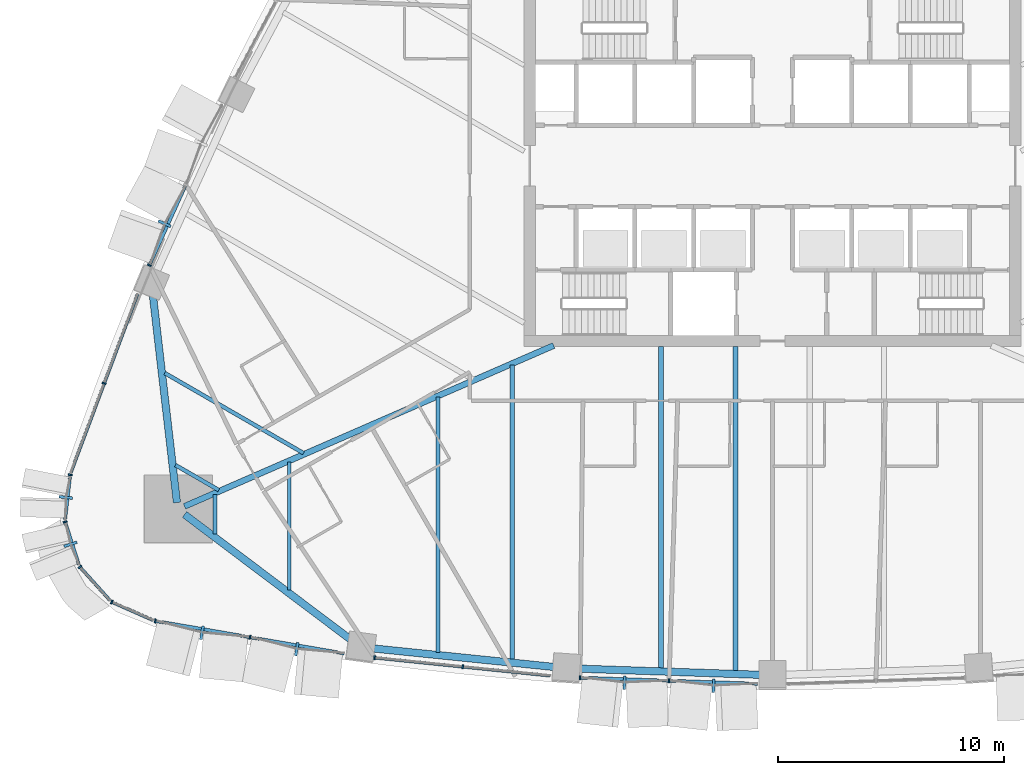
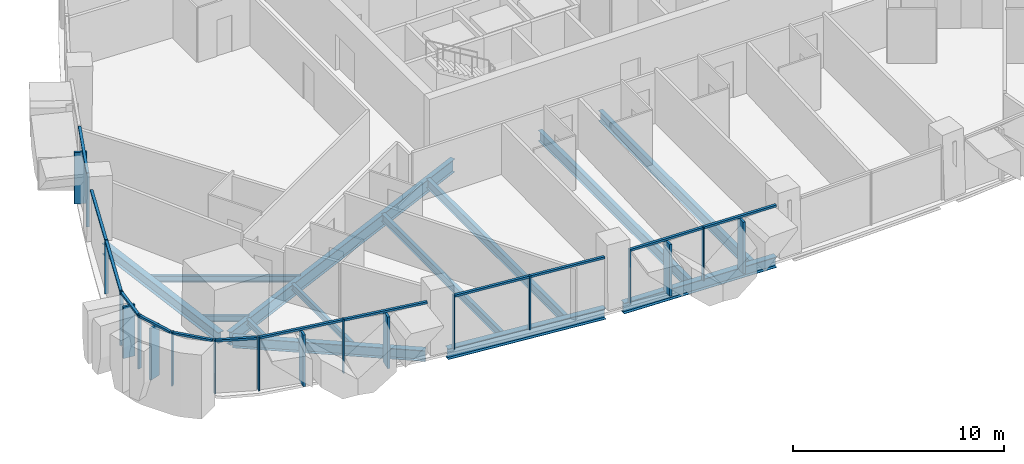
# One storey, part 2 of 19: 32 members, 13 beams, 9 elements without a shape of their own.
"""IFC4 building model written with IfcOpenShell, lengths in metres."""

import ifcopenshell
import ifcopenshell.guid

model = None  # the IFC model being written
_history = None  # IfcOwnerHistory: only IFC2X3 demands one
_inside = {}  # id of a spatial element -> (the spatial element, [elements in it])
_under = {}  # id of a project, library or spatial element -> (it, [spatial elements below it])
_declared = {}  # id of a project -> (the project, [libraries it declares])
_typed = {}  # id of a type object -> (the type object, [elements of that type])
_made_of = {}  # id of a material, layer set ... -> (it, [elements and type objects made of it])


def new_model(schema):
    """Start an empty IFC model of exactly this schema.

    Asked for "IFC4X3", IfcOpenShell would pick the latest addendum, in which some entities
    have other attributes; the version numbers below select the first issue.
    IFC2X3 requires an IfcOwnerHistory on every rooted entity: one is made here for all.
    """
    global model, _history
    if schema == "IFC4X3":
        model = ifcopenshell.file(schema_version=(4, 3, 0, 0))
    else:
        model = ifcopenshell.file(schema=schema)
    _inside.clear()
    _under.clear()
    _declared.clear()
    _typed.clear()
    _made_of.clear()
    _history = None
    if model.schema == "IFC2X3":
        org = make("IfcOrganization", Name="unknown")
        user = make(
            "IfcPersonAndOrganization",
            ThePerson=make("IfcPerson", FamilyName="unknown"),
            TheOrganization=org,
        )
        app = make(
            "IfcApplication",
            ApplicationDeveloper=org,
            Version="unknown",
            ApplicationFullName="unknown",
            ApplicationIdentifier="unknown",
        )
        _history = make(
            "IfcOwnerHistory",
            OwningUser=user,
            OwningApplication=app,
            ChangeAction="ADDED",
            CreationDate=0,
        )
    return model


def make(cls, **values):
    """One entity of the class cls with the attributes given. An attribute that is None is left unset."""
    return model.create_entity(
        cls, **{name: value for name, value in values.items() if value is not None}
    )


def rooted(cls, **values):
    """An entity with a GlobalId (a new one), such as an element, a storey or a relation."""
    return make(cls, GlobalId=ifcopenshell.guid.new(), OwnerHistory=_history, **values)


def si_unit(unit_type, name, prefix=None):
    """IfcSIUnit, for example si_unit("LENGTHUNIT", "METRE", prefix="MILLI")."""
    return make("IfcSIUnit", UnitType=unit_type, Prefix=prefix, Name=name)


def assignment(units):
    """IfcUnitAssignment: the units of a project."""
    return None if units is None else make("IfcUnitAssignment", Units=units)


def point(xyz):
    """IfcCartesianPoint."""
    return None if xyz is None else make("IfcCartesianPoint", Coordinates=xyz)


def direction(xyz):
    """IfcDirection."""
    return None if xyz is None else make("IfcDirection", DirectionRatios=xyz)


def frame(location, z_axis=None, x_axis=None):
    """IfcAxis2Placement3D, a coordinate frame: its origin and axes. An axis left out is left unset."""
    return make(
        "IfcAxis2Placement3D",
        Location=point(location),
        Axis=direction(z_axis),
        RefDirection=direction(x_axis),
    )


def frame_2d(location, x_axis=None):
    """IfcAxis2Placement2D, a coordinate frame in the plane: its origin and x axis."""
    return make(
        "IfcAxis2Placement2D", Location=point(location), RefDirection=direction(x_axis)
    )


def origin():
    """The frame at (0, 0, 0) with its axes left unset."""
    return frame((0.0, 0.0, 0.0))


def origin_2d():
    """The frame at (0, 0) in the plane with its x axis left unset."""
    return frame_2d((0.0, 0.0))


def place(relative_to, where):
    """IfcLocalPlacement: puts the frame where relative to a parent placement (None: the world)."""
    return make(
        "IfcLocalPlacement", PlacementRelTo=relative_to, RelativePlacement=where
    )


def context(
    kind, dimensions, precision=None, world=None, true_north=None, identifier=None
):
    """IfcGeometricRepresentationContext, for example the 3D "Model" context."""
    return make(
        "IfcGeometricRepresentationContext",
        ContextIdentifier=identifier,
        ContextType=kind,
        CoordinateSpaceDimension=dimensions,
        Precision=precision,
        WorldCoordinateSystem=world,
        TrueNorth=true_north,
    )


def subcontext(parent, identifier, kind, view, scale=None):
    """IfcGeometricRepresentationSubContext, for example "Body" below "Model"."""
    return make(
        "IfcGeometricRepresentationSubContext",
        ContextIdentifier=identifier,
        ContextType=kind,
        ParentContext=parent,
        TargetScale=scale,
        TargetView=view,
    )


def project(units=None, contexts=None):
    """IfcProject with its units and contexts."""
    return rooted(
        "IfcProject",
        Name="project",
        RepresentationContexts=contexts,
        UnitsInContext=assignment(units),
    )


def spatial(cls, under=None, at=None, **own):
    """A site, building, storey or space (cls), placed at a placement, below another one or the project."""
    s = rooted(cls, ObjectPlacement=at, **own)
    if under is not None:
        _under.setdefault(under.id(), (under, []))[1].append(s)
    return s


def profile(cls, at=None, kind="AREA", **sizes):
    """A parametric profile (cls). Its sizes go by their IFC names, for example OverallWidth=200.0."""
    return make(cls, ProfileType=kind, Position=at, **sizes)


def rectangle(**sizes):
    """IfcRectangleProfileDef."""
    return profile("IfcRectangleProfileDef", **sizes)


def i_section(**sizes):
    """IfcIShapeProfileDef."""
    return profile("IfcIShapeProfileDef", **sizes)


def extrude(swept, where, along, depth):
    """IfcExtrudedAreaSolid: the profile swept, set in the frame where, extruded along a direction by depth."""
    return make(
        "IfcExtrudedAreaSolid",
        SweptArea=swept,
        Position=where,
        ExtrudedDirection=direction(along),
        Depth=depth,
    )


def shape(context_of_items, identifier, shape_type, items):
    """IfcShapeRepresentation: the items that make up one representation, for example the "Body"."""
    return make(
        "IfcShapeRepresentation",
        ContextOfItems=context_of_items,
        RepresentationIdentifier=identifier,
        RepresentationType=shape_type,
        Items=items,
    )


def material(Name=None, Category=None):
    """IfcMaterial."""
    return make("IfcMaterial", Name=Name, Category=Category)


def layer(
    of_material, thickness, ventilated=None, Name=None, Category=None, Priority=None
):
    """IfcMaterialLayer: one layer of a wall or slab, of a material (None: an air gap)."""
    return make(
        "IfcMaterialLayer",
        Material=of_material,
        LayerThickness=thickness,
        IsVentilated=ventilated,
        Name=Name,
        Category=Category,
        Priority=Priority,
    )


def layer_set(layers, Name=None):
    """IfcMaterialLayerSet."""
    return make("IfcMaterialLayerSet", MaterialLayers=layers, LayerSetName=Name)


def material_profile(
    of_material, cross_section, Name=None, Category=None, Priority=None
):
    """IfcMaterialProfile: a cross section and its material."""
    return make(
        "IfcMaterialProfile",
        Name=Name,
        Material=of_material,
        Profile=cross_section,
        Priority=Priority,
        Category=Category,
    )


def profile_set(profiles, Name=None, composite=None):
    """IfcMaterialProfileSet."""
    return make(
        "IfcMaterialProfileSet",
        Name=Name,
        MaterialProfiles=profiles,
        CompositeProfile=composite,
    )


def made_of(thing, what):
    """Note that an element or type object is made of a material, layer set ...; save() writes the relation."""
    if what is not None:
        _made_of.setdefault(what.id(), (what, []))[1].append(thing)
    return thing


def type_object(cls, material=None, **own):
    """A type object (cls), such as IfcWallType, which elements share."""
    return made_of(rooted(cls, **own), material)


def element(
    cls,
    number,
    at=None,
    inside=None,
    cuts=None,
    type_object=None,
    material=None,
    context=None,
    identifier="Body",
    shape_type=None,
    held_by="IfcProductDefinitionShape",
    body=None,
    shapes=None,
    **own,
):
    """One element of the class cls, such as IfcWall. Its Tag is "e" and its number.

    at: its placement. inside: the storey or other place that contains it. cuts: it is an
    opening in that element (IfcRelVoidsElement). A single representation is given by context,
    identifier, shape_type and body (its items); several are given by shapes. held_by: the class
    of the entity that holds the representations. save() writes the other relations.
    """
    e = rooted(cls, Tag="e%d" % number, ObjectPlacement=at, **own)
    if body is not None:
        shapes = [shape(context, identifier, shape_type, body)]
    if shapes is not None:
        e.Representation = make(held_by, Representations=shapes)
    if inside is not None:
        _inside.setdefault(inside.id(), (inside, []))[1].append(e)
    if cuts is not None:
        rooted(
            "IfcRelVoidsElement", RelatingBuildingElement=cuts, RelatedOpeningElement=e
        )
    if type_object is not None:
        _typed.setdefault(type_object.id(), (type_object, []))[1].append(e)
    return made_of(e, material)


def aggregate(whole, parts):
    """IfcRelAggregates: a whole, such as a stair, and the parts it consists of."""
    return rooted("IfcRelAggregates", RelatingObject=whole, RelatedObjects=parts)


def save(model, path):
    """Write the relations noted so far, then the file.

    IfcRelAggregates (storeys below a building ...), IfcRelContainedInSpatialStructure (elements
    in a storey), IfcRelDefinesByType, IfcRelAssociatesMaterial and IfcRelDeclares: one each for
    every whole, place, type object, material and project.
    """
    for whole, parts in _under.values():
        aggregate(whole, parts)
    for where, things in _inside.values():
        rooted(
            "IfcRelContainedInSpatialStructure",
            RelatedElements=things,
            RelatingStructure=where,
        )
    for kind, things in _typed.values():
        rooted("IfcRelDefinesByType", RelatedObjects=things, RelatingType=kind)
    for what, things in _made_of.values():
        rooted("IfcRelAssociatesMaterial", RelatedObjects=things, RelatingMaterial=what)
    for by, libraries in _declared.values():
        rooted("IfcRelDeclares", RelatingContext=by, RelatedDefinitions=libraries)
    model.write(path)


model = new_model("IFC4")

# Units and contexts
model_context = context("Model", 3, precision=1e-05, world=origin(), true_north=direction((0.0, 1.0)))
body_context = subcontext(model_context, "Body", "Model", "MODEL_VIEW")
ifc_project = project(units=[si_unit("LENGTHUNIT", "METRE"), si_unit("AREAUNIT", "SQUARE_METRE"), si_unit("VOLUMEUNIT", "CUBIC_METRE"), si_unit("PLANEANGLEUNIT", "RADIAN"), si_unit("MASSUNIT", "GRAM", prefix="KILO")], contexts=[model_context])

# Site, building, storey
site_placement = place(None, origin())
site = spatial("IfcSite", under=ifc_project, at=site_placement, CompositionType="ELEMENT")
building_placement = place(site_placement, origin())
building = spatial("IfcBuilding", under=site, at=building_placement, Name="Sierra Prisma Convention Tower", CompositionType="ELEMENT")
storey_placement = place(building_placement, frame((0.0, 0.0, 77.60009765625)))
storey = spatial("IfcBuildingStorey", under=building, at=storey_placement, Name="L15", CompositionType="ELEMENT", Elevation=77.60009765625)

# Curtain wall, members
ifc_material_1 = material(Name="Aluminium and glass curtain wall", Category="aluminium")
ifc_layer_1 = layer(ifc_material_1, 0.179931640625)
ifc_layer_set_1 = layer_set([ifc_layer_1], Name="CW-2 Faceted crystal curtain wall")
curtain_wall_type_1 = type_object("IfcCurtainWallType", Name="CW-2 Faceted crystal curtain wall", PredefinedType="NOTDEFINED", material=ifc_layer_set_1)
curtain_wall_1_placement = place(storey_placement, origin())
curtain_wall_1 = element("IfcCurtainWall", 1, at=curtain_wall_1_placement, inside=storey, type_object=curtain_wall_type_1, Name="CW-2 S1 L15", PredefinedType="NOTDEFINED")
ifc_material_2 = material(Name="Aluminium 6063-T6 bronze anodised", Category="aluminium")
ifc_material_profile_1 = material_profile(ifc_material_2, rectangle(XDim=0.1201171875, YDim=0.60009765625, at=origin_2d()), Name="ALU RIDGE BLADE 120x600")
ifc_profile_set_1 = profile_set([ifc_material_profile_1], Name="Aluminium 6063-T6 bronze anodised")
member_type_1 = type_object("IfcMemberType", Name="CW hip bronze", PredefinedType="MULLION", material=ifc_profile_set_1)
member_1_placement = place(storey_placement, frame((-25.26123046875, -20.671630859375, 0.0), z_axis=(0.0, 0.0, 1.0), x_axis=(0.985502859927, -0.169658813728, 0.0)))
member_1 = element("IfcMember", 2, at=member_1_placement, type_object=member_type_1, Name="CW-2 ridge S1.1", PredefinedType="MULLION", context=body_context, shape_type="SweptSolid", body=[
    extrude(rectangle(XDim=0.1201171875, YDim=0.60009765625, at=origin_2d()), origin(), (0.0, 0.0, 1.0), 2.97998046875),
])
member_2_placement = place(storey_placement, frame((-21.06591796875, -21.39404296875, 0.0), z_axis=(0.0, 0.0, 1.0), x_axis=(0.985502859927, -0.169658813728, 0.0)))
member_2 = element("IfcMember", 3, at=member_2_placement, type_object=member_type_1, Name="CW-2 ridge S1.2", PredefinedType="MULLION", context=body_context, shape_type="SweptSolid", body=[
    extrude(rectangle(XDim=0.1201171875, YDim=0.60009765625, at=origin_2d()), origin(), (0.0, 0.0, 1.0), 2.97998046875),
])

curtain_wall_2_placement = place(storey_placement, origin())
curtain_wall_2 = element("IfcCurtainWall", 4, at=curtain_wall_2_placement, inside=storey, type_object=curtain_wall_type_1, Name="CW-2 S3 L15", PredefinedType="NOTDEFINED")
member_3_placement = place(storey_placement, frame((-6.5556640625, -22.88037109375, 0.0), z_axis=(0.0, 0.0, 1.0), x_axis=(0.999418764156, -0.03409008438, 0.0)))
member_3 = element("IfcMember", 5, at=member_3_placement, type_object=member_type_1, Name="CW-2 ridge S3.1", PredefinedType="MULLION", context=body_context, shape_type="SweptSolid", body=[
    extrude(rectangle(XDim=0.1201171875, YDim=0.60009765625, at=origin_2d()), origin(), (0.0, 0.0, 1.0), 2.97998046875),
])
member_4_placement = place(storey_placement, frame((-2.61181640625, -23.014892578125, 0.0), z_axis=(0.0, 0.0, 1.0), x_axis=(0.999418764156, -0.03409008438, 0.0)))
member_4 = element("IfcMember", 6, at=member_4_placement, type_object=member_type_1, Name="CW-2 ridge S3.2", PredefinedType="MULLION", context=body_context, shape_type="SweptSolid", body=[
    extrude(rectangle(XDim=0.1201171875, YDim=0.60009765625, at=origin_2d()), origin(), (0.0, 0.0, 1.0), 2.97998046875),
])

# Curtain wall, member
curtain_wall_3_placement = place(storey_placement, origin())
curtain_wall_3 = element("IfcCurtainWall", 7, at=curtain_wall_3_placement, inside=storey, type_object=curtain_wall_type_1, Name="CW-2 NW5 L15", PredefinedType="NOTDEFINED")
member_5_placement = place(storey_placement, frame((-26.922119140625, -2.55615234375, 0.0), z_axis=(0.0, 0.0, 1.0), x_axis=(-0.411425727774, -0.911443289802, 0.0)))
member_5 = element("IfcMember", 8, at=member_5_placement, type_object=member_type_1, Name="CW-2 ridge NW5.2", PredefinedType="MULLION", context=body_context, shape_type="SweptSolid", body=[
    extrude(rectangle(XDim=0.1201171875, YDim=0.60009765625, at=origin_2d()), origin(), (0.0, 0.0, 1.0), 2.97998046875),
])

curtain_wall_4_placement = place(storey_placement, origin())
curtain_wall_4 = element("IfcCurtainWall", 9, at=curtain_wall_4_placement, inside=storey, type_object=curtain_wall_type_1, Name="CW-2 SW1 L15", PredefinedType="NOTDEFINED")
member_6_placement = place(storey_placement, frame((-31.2890625, -14.677734375, 0.0), z_axis=(0.0, 0.0, 1.0), x_axis=(-0.112981367016, -0.993597106833, 0.0)))
member_6 = element("IfcMember", 10, at=member_6_placement, type_object=member_type_1, Name="CW-2 ridge SW1.1", PredefinedType="MULLION", context=body_context, shape_type="SweptSolid", body=[
    extrude(rectangle(XDim=0.1201171875, YDim=0.60009765625, at=origin_2d()), origin(), (0.0, 0.0, 1.0), 2.97998046875),
])

curtain_wall_5_placement = place(storey_placement, origin())
curtain_wall_5 = element("IfcCurtainWall", 11, at=curtain_wall_5_placement, inside=storey, type_object=curtain_wall_type_1, Name="CW-2 SW2 L15", PredefinedType="NOTDEFINED")
member_7_placement = place(storey_placement, frame((-31.084716796875, -16.754150390625, 0.0), z_axis=(0.0, 0.0, 1.0), x_axis=(0.304557497291, -0.95249395318, 0.0)))
member_7 = element("IfcMember", 12, at=member_7_placement, type_object=member_type_1, Name="CW-2 ridge SW2.1", PredefinedType="MULLION", context=body_context, shape_type="SweptSolid", body=[
    extrude(rectangle(XDim=0.1201171875, YDim=0.60009765625, at=origin_2d()), origin(), (0.0, 0.0, 1.0), 2.97998046875),
])

# Member
ifc_material_3 = material(Name="Aluminium 6063-T6 bronze anodised", Category="aluminium")
ifc_material_profile_2 = material_profile(ifc_material_3, rectangle(XDim=0.179931640625, YDim=0.070068359375, at=origin_2d()), Name="ALU MULLION 70x180")
ifc_profile_set_2 = profile_set([ifc_material_profile_2], Name="Aluminium 6063-T6 bronze anodised")
member_type_2 = type_object("IfcMemberType", Name="CW mullion bronze", PredefinedType="MULLION", material=ifc_profile_set_2)
member_8_placement = place(storey_placement, frame((-27.330810546875, -20.148193359375, 0.0), z_axis=(0.0, 0.0, 1.0), x_axis=(0.169658813728, 0.985502859927, 0.0)))
member_8 = element("IfcMember", 13, at=member_8_placement, type_object=member_type_2, Name="CW-1 mullion S1.1", PredefinedType="MULLION", context=body_context, shape_type="SweptSolid", body=[
    extrude(rectangle(XDim=0.179931640625, YDim=0.070068359375, at=origin_2d()), origin(), (0.0, 0.0, 1.0), 3.099853515625),
])

member_9_placement = place(storey_placement, frame((-23.135498046875, -20.870361328125, 0.0), z_axis=(0.0, 0.0, 1.0), x_axis=(0.169658813728, 0.985502859927, 0.0)))
member_9 = element("IfcMember", 14, at=member_9_placement, type_object=member_type_2, Name="CW-1 mullion S1.2", PredefinedType="MULLION", context=body_context, shape_type="SweptSolid", body=[
    extrude(rectangle(XDim=0.179931640625, YDim=0.070068359375, at=origin_2d()), origin(), (0.0, 0.0, 1.0), 3.099853515625),
])

# Curtain wall, members
ifc_material_4 = material(Name="Aluminium and glass curtain wall", Category="aluminium")
ifc_layer_2 = layer(ifc_material_4, 0.179931640625)
ifc_layer_set_2 = layer_set([ifc_layer_2], Name="CW-1 Plain shaft curtain wall")
curtain_wall_type_2 = type_object("IfcCurtainWallType", Name="CW-1 Plain shaft curtain wall", PredefinedType="NOTDEFINED", material=ifc_layer_set_2)
curtain_wall_6_placement = place(storey_placement, origin())
curtain_wall_6 = element("IfcCurtainWall", 15, at=curtain_wall_6_placement, inside=storey, type_object=curtain_wall_type_2, Name="CW-1 S2 L15", PredefinedType="NOTDEFINED")
member_10_placement = place(storey_placement, frame((-17.619140625, -21.771728515625, 0.0), z_axis=(0.0, 0.0, 1.0), x_axis=(0.102111784176, 0.994772930639, 0.0)))
member_10 = element("IfcMember", 16, at=member_10_placement, type_object=member_type_2, Name="CW-1 mullion S2.1", PredefinedType="MULLION", context=body_context, shape_type="SweptSolid", body=[
    extrude(rectangle(XDim=0.179931640625, YDim=0.070068359375, at=origin_2d()), origin(), (0.0, 0.0, 1.0), 3.099853515625),
])
member_11_placement = place(storey_placement, frame((-13.714599609375, -22.172607421875, 0.0), z_axis=(0.0, 0.0, 1.0), x_axis=(0.102111784176, 0.994772930639, 0.0)))
member_11 = element("IfcMember", 17, at=member_11_placement, type_object=member_type_2, Name="CW-1 mullion S2.2", PredefinedType="MULLION", context=body_context, shape_type="SweptSolid", body=[
    extrude(rectangle(XDim=0.179931640625, YDim=0.070068359375, at=origin_2d()), origin(), (0.0, 0.0, 1.0), 3.099853515625),
])

# Member
member_12_placement = place(storey_placement, frame((-8.522216796875, -22.66064453125, 0.0), z_axis=(0.0, 0.0, 1.0), x_axis=(0.03409008438, 0.999418764156, 0.0)))
member_12 = element("IfcMember", 18, at=member_12_placement, type_object=member_type_2, Name="CW-1 mullion S3.1", PredefinedType="MULLION", context=body_context, shape_type="SweptSolid", body=[
    extrude(rectangle(XDim=0.179931640625, YDim=0.070068359375, at=origin_2d()), origin(), (0.0, 0.0, 1.0), 3.099853515625),
])

member_13_placement = place(storey_placement, frame((-4.578369140625, -22.795166015625, 0.0), z_axis=(0.0, 0.0, 1.0), x_axis=(0.03409008438, 0.999418764156, 0.0)))
member_13 = element("IfcMember", 19, at=member_13_placement, type_object=member_type_2, Name="CW-1 mullion S3.2", PredefinedType="MULLION", context=body_context, shape_type="SweptSolid", body=[
    extrude(rectangle(XDim=0.179931640625, YDim=0.070068359375, at=origin_2d()), origin(), (0.0, 0.0, 1.0), 3.099853515625),
])

member_14_placement = place(storey_placement, frame((-27.589111328125, -4.40185546875, 0.0), z_axis=(0.0, 0.0, 1.0), x_axis=(0.911443289802, -0.411425727774, 0.0)))
member_14 = element("IfcMember", 20, at=member_14_placement, type_object=member_type_2, Name="CW-1 mullion NW5.3", PredefinedType="MULLION", context=body_context, shape_type="SweptSolid", body=[
    extrude(rectangle(XDim=0.179931640625, YDim=0.070068359375, at=origin_2d()), origin(), (0.0, 0.0, 1.0), 3.099853515625),
])

# Curtain wall, member
curtain_wall_7_placement = place(storey_placement, origin())
curtain_wall_7 = element("IfcCurtainWall", 21, at=curtain_wall_7_placement, inside=storey, type_object=curtain_wall_type_2, Name="CW-1 NW6 L15", PredefinedType="NOTDEFINED")
member_15_placement = place(storey_placement, frame((-29.593017578125, -9.62744140625, 0.0), z_axis=(0.0, 0.0, 1.0), x_axis=(0.936697464494, -0.350139772107, 0.0)))
member_15 = element("IfcMember", 22, at=member_15_placement, type_object=member_type_2, Name="CW-1 mullion NW6.2", PredefinedType="MULLION", context=body_context, shape_type="SweptSolid", body=[
    extrude(rectangle(XDim=0.179931640625, YDim=0.070068359375, at=origin_2d()), origin(), (0.0, 0.0, 1.0), 3.099853515625),
])

# Member
member_16_placement = place(storey_placement, frame((-31.097900390625, -13.677490234375, 0.0), z_axis=(0.0, 0.0, 1.0), x_axis=(0.993597106833, -0.112981367016, 0.0)))
member_16 = element("IfcMember", 23, at=member_16_placement, type_object=member_type_2, Name="CW-1 mullion SW1.1", PredefinedType="MULLION", context=body_context, shape_type="SweptSolid", body=[
    extrude(rectangle(XDim=0.179931640625, YDim=0.070068359375, at=origin_2d()), origin(), (0.0, 0.0, 1.0), 3.099853515625),
])

member_17_placement = place(storey_placement, frame((-31.320556640625, -15.763427734375, 0.0), z_axis=(0.0, 0.0, 1.0), x_axis=(0.95249395318, 0.304557497291, 0.0)))
member_17 = element("IfcMember", 24, at=member_17_placement, type_object=member_type_2, Name="CW-1 mullion SW2.1", PredefinedType="MULLION", context=body_context, shape_type="SweptSolid", body=[
    extrude(rectangle(XDim=0.179931640625, YDim=0.070068359375, at=origin_2d()), origin(), (0.0, 0.0, 1.0), 3.099853515625),
])

# Curtain wall, member
curtain_wall_8_placement = place(storey_placement, origin())
curtain_wall_8 = element("IfcCurtainWall", 25, at=curtain_wall_8_placement, inside=storey, type_object=curtain_wall_type_2, Name="CW-1 SW3 L15", PredefinedType="NOTDEFINED")
member_18_placement = place(storey_placement, frame((-30.66796875, -17.757080078125, 0.0), z_axis=(0.0, 0.0, 1.0), x_axis=(0.743725029682, 0.668485661944, 0.0)))
member_18 = element("IfcMember", 26, at=member_18_placement, type_object=member_type_2, Name="CW-1 mullion SW3.1", PredefinedType="MULLION", context=body_context, shape_type="SweptSolid", body=[
    extrude(rectangle(XDim=0.179931640625, YDim=0.070068359375, at=origin_2d()), origin(), (0.0, 0.0, 1.0), 3.099853515625),
])

curtain_wall_9_placement = place(storey_placement, origin())
curtain_wall_9 = element("IfcCurtainWall", 27, at=curtain_wall_9_placement, inside=storey, type_object=curtain_wall_type_2, Name="CW-1 SW4 L15", PredefinedType="NOTDEFINED")
member_19_placement = place(storey_placement, frame((-29.255126953125, -19.3076171875, 0.0), z_axis=(0.0, 0.0, 1.0), x_axis=(0.404039548407, 0.914741517219, 0.0)))
member_19 = element("IfcMember", 28, at=member_19_placement, type_object=member_type_2, Name="CW-1 mullion SW4.1", PredefinedType="MULLION", context=body_context, shape_type="SweptSolid", body=[
    extrude(rectangle(XDim=0.179931640625, YDim=0.070068359375, at=origin_2d()), origin(), (0.0, 0.0, 1.0), 3.099853515625),
])

# Member
ifc_material_5 = material(Name="Aluminium 6063-T6 bronze anodised", Category="aluminium")
ifc_material_profile_3 = material_profile(ifc_material_5, rectangle(XDim=0.139892578125, YDim=0.1201171875, at=origin_2d()), Name="ALU TRANSOM 120x140")
ifc_profile_set_3 = profile_set([ifc_material_profile_3], Name="Aluminium 6063-T6 bronze anodised")
member_type_3 = type_object("IfcMemberType", Name="CW transom bronze", PredefinedType="USERDEFINED", material=ifc_profile_set_3)
member_20_placement = place(storey_placement, frame((-27.29638671875, -20.154052734375, 3.039794921875), z_axis=(0.985498806443, -0.169682357656, 0.0), x_axis=(0.169682357656, 0.985498806443, 0.0)))
member_20 = element("IfcMember", 29, at=member_20_placement, type_object=member_type_3, Name="CW-1 transom S1.1", ObjectType="TRANSOM", PredefinedType="USERDEFINED", context=body_context, shape_type="SweptSolid", body=[
    extrude(rectangle(XDim=0.139892578125, YDim=0.1201171875, at=origin_2d()), origin(), (0.0, 0.0, 1.0), 4.18701171875),
])

member_21_placement = place(storey_placement, frame((-23.10107421875, -20.87646484375, 3.039794921875), z_axis=(0.985508555628, -0.169625725597, 0.0), x_axis=(0.169625725597, 0.985508555628, 0.0)))
member_21 = element("IfcMember", 30, at=member_21_placement, type_object=member_type_3, Name="CW-1 transom S1.2", ObjectType="TRANSOM", PredefinedType="USERDEFINED", context=body_context, shape_type="SweptSolid", body=[
    extrude(rectangle(XDim=0.139892578125, YDim=0.1201171875, at=origin_2d()), origin(), (0.0, 0.0, 1.0), 4.18701171875),
])

aggregate(curtain_wall_1, [member_8, member_9, member_20, member_1, member_21, member_2])

member_22_placement = place(storey_placement, frame((-17.584228515625, -21.775390625, 3.039794921875), z_axis=(0.994774843616, -0.102093146235, 0.0), x_axis=(0.102093146235, 0.994774843616, 0.0)))
member_22 = element("IfcMember", 31, at=member_22_placement, type_object=member_type_3, Name="CW-1 transom S2.1", ObjectType="TRANSOM", PredefinedType="USERDEFINED", context=body_context, shape_type="SweptSolid", body=[
    extrude(rectangle(XDim=0.139892578125, YDim=0.1201171875, at=origin_2d()), origin(), (0.0, 0.0, 1.0), 3.85498046875),
])

member_23_placement = place(storey_placement, frame((-13.679931640625, -22.17626953125, 3.039794921875), z_axis=(0.994774843616, -0.102093146235, 0.0), x_axis=(0.102093146235, 0.994774843616, 0.0)))
member_23 = element("IfcMember", 32, at=member_23_placement, type_object=member_type_3, Name="CW-1 transom S2.2", ObjectType="TRANSOM", PredefinedType="USERDEFINED", context=body_context, shape_type="SweptSolid", body=[
    extrude(rectangle(XDim=0.139892578125, YDim=0.1201171875, at=origin_2d()), origin(), (0.0, 0.0, 1.0), 3.85498046875),
])

aggregate(curtain_wall_6, [member_10, member_11, member_22, member_23])

member_24_placement = place(storey_placement, frame((-8.4873046875, -22.661865234375, 3.039794921875), z_axis=(0.999419240354, -0.034076120819, 0.0), x_axis=(0.034076120819, 0.999419240354, 0.0)))
member_24 = element("IfcMember", 33, at=member_24_placement, type_object=member_type_3, Name="CW-1 transom S3.1", ObjectType="TRANSOM", PredefinedType="USERDEFINED", context=body_context, shape_type="SweptSolid", body=[
    extrude(rectangle(XDim=0.139892578125, YDim=0.1201171875, at=origin_2d()), origin(), (0.0, 0.0, 1.0), 3.8759765625),
])

member_25_placement = place(storey_placement, frame((-4.54345703125, -22.79638671875, 3.039794921875), z_axis=(0.999419240354, -0.034076120819, 0.0), x_axis=(0.034076120819, 0.999419240354, 0.0)))
member_25 = element("IfcMember", 34, at=member_25_placement, type_object=member_type_3, Name="CW-1 transom S3.2", ObjectType="TRANSOM", PredefinedType="USERDEFINED", context=body_context, shape_type="SweptSolid", body=[
    extrude(rectangle(XDim=0.139892578125, YDim=0.1201171875, at=origin_2d()), origin(), (0.0, 0.0, 1.0), 3.8759765625),
])

aggregate(curtain_wall_2, [member_12, member_13, member_24, member_3, member_25, member_4])

member_26_placement = place(storey_placement, frame((-25.99365234375, -0.866943359375, 3.039794921875), z_axis=(-0.411389273993, -0.911459744171, 0.0), x_axis=(0.911459744171, -0.411389273993, 0.0)))
member_26 = element("IfcMember", 35, at=member_26_placement, type_object=member_type_3, Name="CW-1 transom NW5.2", ObjectType="TRANSOM", PredefinedType="USERDEFINED", context=body_context, shape_type="SweptSolid", body=[
    extrude(rectangle(XDim=0.139892578125, YDim=0.1201171875, at=origin_2d()), origin(), (0.0, 0.0, 1.0), 3.84326171875),
])

aggregate(curtain_wall_3, [member_14, member_26, member_5])

member_27_placement = place(storey_placement, frame((-28.116455078125, -5.677734375, 3.039794921875), z_axis=(-0.350125126236, -0.936702939025, 0.0), x_axis=(0.936702939025, -0.350125126236, 0.0)))
member_27 = element("IfcMember", 36, at=member_27_placement, type_object=member_type_3, Name="CW-1 transom NW6.1", ObjectType="TRANSOM", PredefinedType="USERDEFINED", context=body_context, shape_type="SweptSolid", body=[
    extrude(rectangle(XDim=0.139892578125, YDim=0.1201171875, at=origin_2d()), origin(), (0.0, 0.0, 1.0), 4.181640625),
])

member_28_placement = place(storey_placement, frame((-29.605224609375, -9.660400390625, 3.039794921875), z_axis=(-0.350144274812, -0.936695781359, 0.0), x_axis=(0.936695781359, -0.350144274812, 0.0)))
member_28 = element("IfcMember", 37, at=member_28_placement, type_object=member_type_3, Name="CW-1 transom NW6.2", ObjectType="TRANSOM", PredefinedType="USERDEFINED", context=body_context, shape_type="SweptSolid", body=[
    extrude(rectangle(XDim=0.139892578125, YDim=0.1201171875, at=origin_2d()), origin(), (0.0, 0.0, 1.0), 4.181396484375),
])

aggregate(curtain_wall_7, [member_15, member_27, member_28])

member_29_placement = place(storey_placement, frame((-31.101806640625, -13.71240234375, 3.039794921875), z_axis=(-0.112932037883, -0.993602714781, 0.0), x_axis=(0.993602714781, -0.112932037883, 0.0)))
member_29 = element("IfcMember", 38, at=member_29_placement, type_object=member_type_3, Name="CW-1 transom SW1.1", ObjectType="TRANSOM", PredefinedType="USERDEFINED", context=body_context, shape_type="SweptSolid", body=[
    extrude(rectangle(XDim=0.139892578125, YDim=0.1201171875, at=origin_2d()), origin(), (0.0, 0.0, 1.0), 1.960693359375),
])

aggregate(curtain_wall_4, [member_16, member_29, member_6])

member_30_placement = place(storey_placement, frame((-31.309814453125, -15.796875, 3.039794921875), z_axis=(0.304585952829, -0.952484854126, 0.0), x_axis=(0.952484854126, 0.304585952829, 0.0)))
member_30 = element("IfcMember", 39, at=member_30_placement, type_object=member_type_3, Name="CW-1 transom SW2.1", ObjectType="TRANSOM", PredefinedType="USERDEFINED", context=body_context, shape_type="SweptSolid", body=[
    extrude(rectangle(XDim=0.139892578125, YDim=0.1201171875, at=origin_2d()), origin(), (0.0, 0.0, 1.0), 1.960693359375),
])

aggregate(curtain_wall_5, [member_17, member_30, member_7])

member_31_placement = place(storey_placement, frame((-30.64453125, -17.783203125, 3.039794921875), z_axis=(0.668503703086, -0.743708813286, 0.0), x_axis=(0.743708813286, 0.668503703086, 0.0)))
member_31 = element("IfcMember", 40, at=member_31_placement, type_object=member_type_3, Name="CW-1 transom SW3.1", ObjectType="TRANSOM", PredefinedType="USERDEFINED", context=body_context, shape_type="SweptSolid", body=[
    extrude(rectangle(XDim=0.139892578125, YDim=0.1201171875, at=origin_2d()), origin(), (0.0, 0.0, 1.0), 1.960693359375),
])

aggregate(curtain_wall_8, [member_18, member_31])

member_32_placement = place(storey_placement, frame((-29.222900390625, -19.32177734375, 3.039794921875), z_axis=(0.91472835024, -0.404069357001, 0.0), x_axis=(0.404069357001, 0.91472835024, 0.0)))
member_32 = element("IfcMember", 41, at=member_32_placement, type_object=member_type_3, Name="CW-1 transom SW4.1", ObjectType="TRANSOM", PredefinedType="USERDEFINED", context=body_context, shape_type="SweptSolid", body=[
    extrude(rectangle(XDim=0.139892578125, YDim=0.1201171875, at=origin_2d()), origin(), (0.0, 0.0, 1.0), 1.960693359375),
])

aggregate(curtain_wall_9, [member_19, member_32])

# Beams
ifc_material_6 = material(Name="Steel ASTM A992 Gr 50", Category="steel")
ifc_material_profile_4 = material_profile(ifc_material_6, i_section(OverallWidth=0.172119140625, OverallDepth=0.35791015625, WebThickness=0.0078125, FlangeThickness=0.01318359375, at=origin_2d()), Name="W360x57")
ifc_profile_set_4 = profile_set([ifc_material_profile_4], Name="Steel ASTM A992 Gr 50")
beam_type_1 = type_object("IfcBeamType", Name="Floor joist W360x57", PredefinedType="JOIST", material=ifc_profile_set_4)
beam_1_placement = place(storey_placement, frame((-24.690673828125, -16.291259765625, -0.3291015625), z_axis=(0.0, 1.0, 0.0), x_axis=(-1.0, 0.0, 0.0)))
element("IfcBeam", 42, at=beam_1_placement, inside=storey, type_object=beam_type_1, Name="Floor joist L15 S01", PredefinedType="JOIST", context=body_context, shape_type="SweptSolid", body=[
    extrude(i_section(OverallWidth=0.172119140625, OverallDepth=0.35791015625, WebThickness=0.0078125, FlangeThickness=0.01318359375, at=origin_2d()), origin(), (0.0, 0.0, 1.0), 1.7451171875),
])
beam_2_placement = place(storey_placement, frame((-21.3984375, -18.77001953125, -0.3291015625), z_axis=(0.0, 1.0, 0.0), x_axis=(-1.0, 0.0, 0.0)))
element("IfcBeam", 43, at=beam_2_placement, inside=storey, type_object=beam_type_1, Name="Floor joist L15 S02", PredefinedType="JOIST", context=body_context, shape_type="SweptSolid", body=[
    extrude(i_section(OverallWidth=0.172119140625, OverallDepth=0.35791015625, WebThickness=0.0078125, FlangeThickness=0.01318359375, at=origin_2d()), origin(), (0.0, 0.0, 1.0), 5.658447265625),
])
beam_3_placement = place(storey_placement, frame((-26.91357421875, -9.17041015625, -0.3291015625), z_axis=(0.866031536308, -0.499989378008, 0.0), x_axis=(0.499989378008, 0.866031536308, 0.0)))
element("IfcBeam", 44, at=beam_3_placement, inside=storey, type_object=beam_type_1, Name="Floor joist L15 NW15", PredefinedType="JOIST", context=body_context, shape_type="SweptSolid", body=[
    extrude(i_section(OverallWidth=0.172119140625, OverallDepth=0.35791015625, WebThickness=0.0078125, FlangeThickness=0.01318359375, at=origin_2d()), origin(), (0.0, 0.0, 1.0), 7.099365234375),
])
beam_4_placement = place(storey_placement, frame((-26.44091796875, -13.24462890625, -0.3291015625), z_axis=(0.866042797968, -0.49996987118, 0.0), x_axis=(0.49996987118, 0.866042797968, 0.0)))
element("IfcBeam", 45, at=beam_4_placement, inside=storey, type_object=beam_type_1, Name="Floor joist L15 NW16", PredefinedType="JOIST", context=body_context, shape_type="SweptSolid", body=[
    extrude(i_section(OverallWidth=0.172119140625, OverallDepth=0.35791015625, WebThickness=0.0078125, FlangeThickness=0.01318359375, at=origin_2d()), origin(), (0.0, 0.0, 1.0), 2.220947265625),
])
ifc_material_7 = material(Name="Steel ASTM A992 Gr 50", Category="steel")
ifc_material_profile_5 = material_profile(ifc_material_7, i_section(OverallWidth=0.18994140625, OverallDepth=0.45703125, WebThickness=0.009033203125, FlangeThickness=0.014404296875, at=origin_2d()), Name="W460x74")
ifc_profile_set_5 = profile_set([ifc_material_profile_5], Name="Steel ASTM A992 Gr 50")
beam_type_2 = type_object("IfcBeamType", Name="Floor joist W460x74", PredefinedType="JOIST", material=ifc_profile_set_5)
beam_5_placement = place(storey_placement, frame((-14.814453125, -21.544921875, -0.378662109375), z_axis=(0.0, 1.0, 0.0), x_axis=(-1.0, 0.0, 0.0)))
element("IfcBeam", 46, at=beam_5_placement, inside=storey, type_object=beam_type_2, Name="Floor joist L15 S04", PredefinedType="JOIST", context=body_context, shape_type="SweptSolid", body=[
    extrude(i_section(OverallWidth=0.18994140625, OverallDepth=0.45703125, WebThickness=0.009033203125, FlangeThickness=0.014404296875, at=origin_2d()), origin(), (0.0, 0.0, 1.0), 11.30224609375),
])
ifc_material_8 = material(Name="Steel ASTM A992 Gr 50", Category="steel")
ifc_material_profile_6 = material_profile(ifc_material_8, i_section(OverallWidth=0.208984375, OverallDepth=0.532958984375, WebThickness=0.01025390625, FlangeThickness=0.015625, at=origin_2d()), Name="W530x92")
ifc_profile_set_6 = profile_set([ifc_material_profile_6], Name="Steel ASTM A992 Gr 50")
beam_type_3 = type_object("IfcBeamType", Name="Floor joist W530x92", PredefinedType="JOIST", material=ifc_profile_set_6)
beam_6_placement = place(storey_placement, frame((-11.522216796875, -21.88232421875, -0.41650390625), z_axis=(0.0, 1.0, 0.0), x_axis=(-1.0, 0.0, 0.0)))
element("IfcBeam", 47, at=beam_6_placement, inside=storey, type_object=beam_type_3, Name="Floor joist L15 S05", PredefinedType="JOIST", context=body_context, shape_type="SweptSolid", body=[
    extrude(i_section(OverallWidth=0.208984375, OverallDepth=0.532958984375, WebThickness=0.01025390625, FlangeThickness=0.015625, at=origin_2d()), origin(), (0.0, 0.0, 1.0), 13.073974609375),
])
ifc_material_9 = material(Name="Steel ASTM A992 Gr 50", Category="steel")
ifc_material_profile_7 = material_profile(ifc_material_9, i_section(OverallWidth=0.22802734375, OverallDepth=0.60302734375, WebThickness=0.010498046875, FlangeThickness=0.014892578125, at=origin_2d()), Name="W610x101")
ifc_profile_set_7 = profile_set([ifc_material_profile_7], Name="Steel ASTM A992 Gr 50")
beam_type_4 = type_object("IfcBeamType", Name="Floor joist W610x101", PredefinedType="JOIST", material=ifc_profile_set_7)
beam_7_placement = place(storey_placement, frame((-4.938232421875, -22.2705078125, -0.45166015625), z_axis=(0.0, 1.0, 0.0), x_axis=(-1.0, 0.0, 0.0)))
element("IfcBeam", 48, at=beam_7_placement, inside=storey, type_object=beam_type_4, Name="Floor joist L15 S07", PredefinedType="JOIST", context=body_context, shape_type="SweptSolid", body=[
    extrude(i_section(OverallWidth=0.22802734375, OverallDepth=0.60302734375, WebThickness=0.010498046875, FlangeThickness=0.014892578125, at=origin_2d()), origin(), (0.0, 0.0, 1.0), 14.2705078125),
])
beam_8_placement = place(storey_placement, frame((-1.64599609375, -22.382568359375, -0.45166015625), z_axis=(0.0, 1.0, 0.0), x_axis=(-1.0, 0.0, 0.0)))
element("IfcBeam", 49, at=beam_8_placement, inside=storey, type_object=beam_type_4, Name="Floor joist L15 S08", PredefinedType="JOIST", context=body_context, shape_type="SweptSolid", body=[
    extrude(i_section(OverallWidth=0.22802734375, OverallDepth=0.60302734375, WebThickness=0.010498046875, FlangeThickness=0.014892578125, at=origin_2d()), origin(), (0.0, 0.0, 1.0), 14.382568359375),
])
ifc_material_10 = material(Name="Steel ASTM A992 Gr 50", Category="steel")
ifc_material_profile_8 = material_profile(ifc_material_10, i_section(OverallWidth=0.264892578125, OverallDepth=0.7529296875, WebThickness=0.01318359375, FlangeThickness=0.01708984375, at=origin_2d()), Name="W760x147")
ifc_profile_set_8 = profile_set([ifc_material_profile_8], Name="Steel ASTM A992 Gr 50")
beam_type_5 = type_object("IfcBeamType", Name="Radial girder W760x147", PredefinedType="BEAM", material=ifc_profile_set_8)
beam_9_placement = place(storey_placement, frame((-26.03662109375, -15.07470703125, -0.526611328125), z_axis=(0.916755881114, 0.399447937087, 0.0), x_axis=(-0.399447937087, 0.916755881114, 0.0)))
element("IfcBeam", 50, at=beam_9_placement, inside=storey, type_object=beam_type_5, Name="Radial girder L15 SW", PredefinedType="BEAM", context=body_context, shape_type="SweptSolid", body=[
    extrude(i_section(OverallWidth=0.264892578125, OverallDepth=0.7529296875, WebThickness=0.01318359375, FlangeThickness=0.01708984375, at=origin_2d()), origin(), (0.0, 0.0, 1.0), 17.8310546875),
])
ifc_material_11 = material(Name="Steel ASTM A992 Gr 50", Category="steel")
ifc_material_profile_9 = material_profile(ifc_material_11, i_section(OverallWidth=0.324951171875, OverallDepth=0.615966796875, WebThickness=0.013916015625, FlangeThickness=0.021484375, at=origin_2d()), Name="W610x174")
ifc_profile_set_9 = profile_set([ifc_material_profile_9], Name="Steel ASTM A992 Gr 50")
beam_type_6 = type_object("IfcBeamType", Name="Spandrel beam W610x174", PredefinedType="BEAM", material=ifc_profile_set_9)
beam_10_placement = place(storey_placement, frame((-26.03662109375, -15.431396484375, -0.4580078125), z_axis=(0.798890863793, -0.601476007625, 0.0), x_axis=(0.601476007625, 0.798890863793, 0.0)))
element("IfcBeam", 51, at=beam_10_placement, inside=storey, type_object=beam_type_6, Name="Spandrel L15-01", PredefinedType="BEAM", context=body_context, shape_type="SweptSolid", body=[
    extrude(i_section(OverallWidth=0.324951171875, OverallDepth=0.615966796875, WebThickness=0.013916015625, FlangeThickness=0.021484375, at=origin_2d()), origin(), (0.0, 0.0, 1.0), 9.203369140625),
])
beam_11_placement = place(storey_placement, frame((-17.753173828125, -21.357177734375, -0.4580078125), z_axis=(0.994792303926, -0.101922873046, 0.0), x_axis=(0.101922873046, 0.994792303926, 0.0)))
element("IfcBeam", 52, at=beam_11_placement, inside=storey, type_object=beam_type_6, Name="Spandrel L15-02", PredefinedType="BEAM", context=body_context, shape_type="SweptSolid", body=[
    extrude(i_section(OverallWidth=0.324951171875, OverallDepth=0.615966796875, WebThickness=0.013916015625, FlangeThickness=0.021484375, at=origin_2d()), origin(), (0.0, 0.0, 1.0), 8.1826171875),
])
beam_12_placement = place(storey_placement, frame((-8.655517578125, -22.256591796875, -0.4580078125), z_axis=(0.999421038166, -0.034023351853, 0.0), x_axis=(0.034023351853, 0.999421038166, 0.0)))
element("IfcBeam", 53, at=beam_12_placement, inside=storey, type_object=beam_type_6, Name="Spandrel L15-03", PredefinedType="BEAM", context=body_context, shape_type="SweptSolid", body=[
    extrude(i_section(OverallWidth=0.324951171875, OverallDepth=0.615966796875, WebThickness=0.013916015625, FlangeThickness=0.021484375, at=origin_2d()), origin(), (0.0, 0.0, 1.0), 8.18017578125),
])
beam_13_placement = place(storey_placement, frame((-27.43505859375, -5.736328125, -0.4580078125), z_axis=(0.115237466868, -0.993337971805, 0.0), x_axis=(0.993337971805, 0.115237466868, 0.0)))
element("IfcBeam", 54, at=beam_13_placement, inside=storey, type_object=beam_type_6, Name="Spandrel L15-18", PredefinedType="BEAM", context=body_context, shape_type="SweptSolid", body=[
    extrude(i_section(OverallWidth=0.324951171875, OverallDepth=0.615966796875, WebThickness=0.013916015625, FlangeThickness=0.021484375, at=origin_2d()), origin(), (0.0, 0.0, 1.0), 9.230712890625),
])

save(model, "model.ifc")
